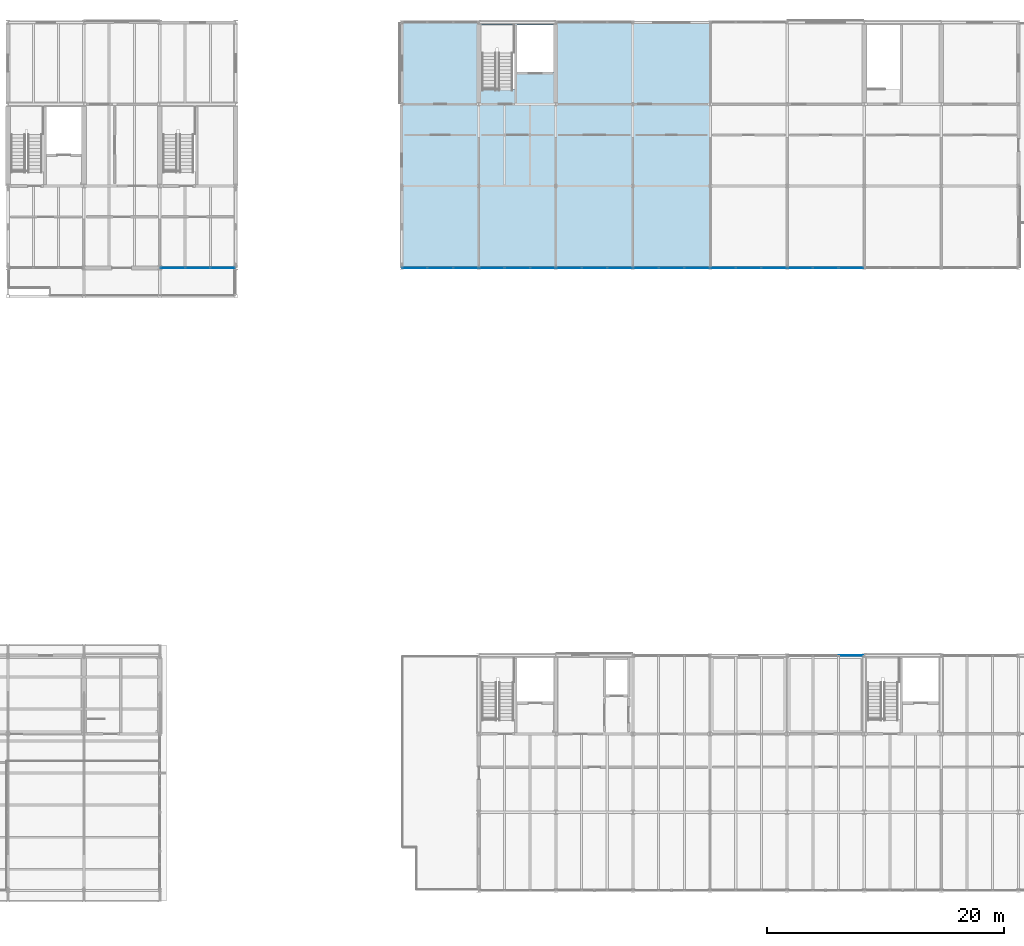
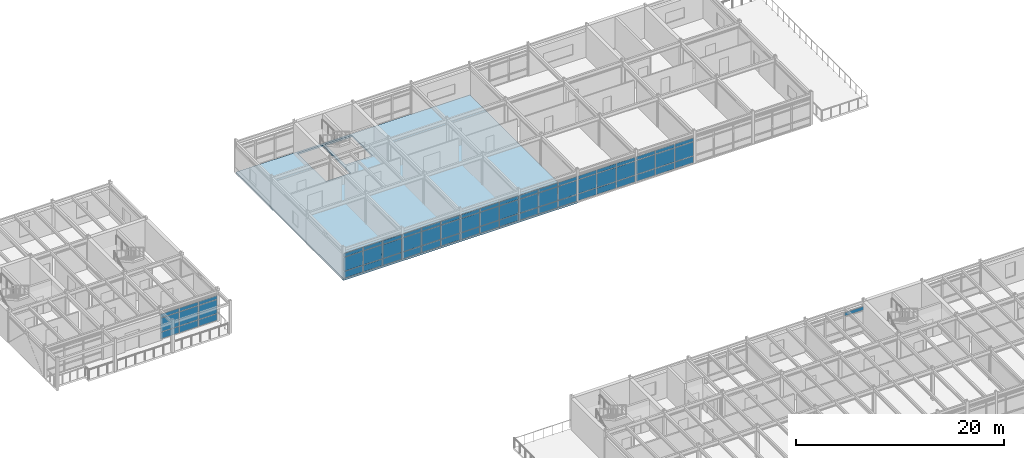
# One storey, part 36 of 57: 64 plates, 1 slab, 8 elements without a shape of their own.
"""IFC4 building model written with IfcOpenShell, lengths in metres."""

from ifc_helpers import new_model, si_unit, direction, frame, origin, origin_2d, place, context, subcontext, project, spatial, polyline, rectangle, outline, extrude, material, layer, layer_set, type_object, element, aggregate, save


model = new_model("IFC4")

# Units and contexts
model_context = context("Model", 3, precision=1e-05, world=origin(), true_north=direction((0.0, 1.0)))
body_context = subcontext(model_context, "Body", "Model", "MODEL_VIEW")
ifc_project = project(units=[si_unit("LENGTHUNIT", "METRE"), si_unit("AREAUNIT", "SQUARE_METRE"), si_unit("VOLUMEUNIT", "CUBIC_METRE"), si_unit("PLANEANGLEUNIT", "RADIAN"), si_unit("MASSUNIT", "GRAM", prefix="KILO")], contexts=[model_context])

# Site, building, storey
site_placement = place(None, origin())
site = spatial("IfcSite", under=ifc_project, at=site_placement, CompositionType="ELEMENT")
building_placement = place(site_placement, origin())
building = spatial("IfcBuilding", under=site, at=building_placement, Name="Trelmorton Wharf Fire Station", CompositionType="ELEMENT")
storey_placement = place(building_placement, frame((0.0, 0.0, 13.5)))
storey = spatial("IfcBuildingStorey", under=building, at=storey_placement, Name="L03", CompositionType="ELEMENT", Elevation=13.5)

# Curtain wall, plate
ifc_material_1 = material(Name="Anodised aluminium AW-6063", Category="aluminium")
ifc_layer_1 = layer(ifc_material_1, 0.14990234375)
ifc_layer_set_1 = layer_set([ifc_layer_1], Name="Anodised aluminium AW-6063")
curtain_wall_type_1 = type_object("IfcCurtainWallType", Name="CW_UNIT_A", PredefinedType="USERDEFINED", material=ifc_layer_set_1)
curtain_wall_1_placement = place(storey_placement, origin())
curtain_wall_1 = element("IfcCurtainWall", 1, at=curtain_wall_1_placement, inside=storey, type_object=curtain_wall_type_1, Name="CW-V5-L03-070", ObjectType="UNITISED CURTAIN WALL", PredefinedType="USERDEFINED")
ifc_material_2 = material(Name="Tempered low-E double glazing", Category="glass")
ifc_layer_2 = layer(ifc_material_2, 0.028076171875)
ifc_layer_set_2 = layer_set([ifc_layer_2], Name="Tempered low-E double glazing")
plate_type_1 = type_object("IfcPlateType", Name="CWP_GLAZ_28", PredefinedType="CURTAIN_PANEL", material=ifc_layer_set_2)
plate_1_placement = place(storey_placement, frame((141.8984375, 27.60009765625, 2.5498046875), z_axis=(0.0, 0.0, 1.0), x_axis=(1.0, 0.0, 0.0)))
plate_1 = element("IfcPlate", 2, at=plate_1_placement, type_object=plate_type_1, Name="CW3 panel 3.3", PredefinedType="CURTAIN_PANEL", context=body_context, shape_type="SweptSolid", body=[
    extrude(rectangle(XDim=2.0732421875, YDim=0.028076171875, at=origin_2d()), origin(), (0.0, 0.0, 1.0), 0.409912109375),
])
aggregate(curtain_wall_1, [plate_1])

# Curtain wall, plates
ifc_layer_3 = layer(ifc_material_1, 0.159912109375)
ifc_layer_set_3 = layer_set([ifc_layer_3], Name="Anodised aluminium AW-6063")
curtain_wall_type_2 = type_object("IfcCurtainWallType", Name="CW_CHIC_A", PredefinedType="USERDEFINED", material=ifc_layer_set_3)
curtain_wall_2_placement = place(storey_placement, origin())
curtain_wall_2 = element("IfcCurtainWall", 3, at=curtain_wall_2_placement, inside=storey, type_object=curtain_wall_type_2, Name="CW-V2-L03-104", ObjectType="CHICAGO BAY CURTAIN WALL", PredefinedType="USERDEFINED")
plate_2_placement = place(storey_placement, frame((88.9150390625, 60.300048828125, 0.06005859375), z_axis=(0.0, 0.0, 1.0), x_axis=(-1.0, 0.0, 0.0)))
plate_2 = element("IfcPlate", 4, at=plate_2_placement, type_object=plate_type_1, Name="CW1 panel 1.1", PredefinedType="CURTAIN_PANEL", context=body_context, shape_type="SweptSolid", body=[
    extrude(rectangle(XDim=2.0400390625, YDim=0.028076171875, at=origin_2d()), origin(), (0.0, 0.0, 1.0), 0.760009765625),
])
plate_3_placement = place(storey_placement, frame((88.9150390625, 60.300048828125, 0.8798828125), z_axis=(0.0, 0.0, 1.0), x_axis=(-1.0, 0.0, 0.0)))
plate_3 = element("IfcPlate", 5, at=plate_3_placement, type_object=plate_type_1, Name="CW1 panel 1.2", PredefinedType="CURTAIN_PANEL", context=body_context, shape_type="SweptSolid", body=[
    extrude(rectangle(XDim=2.0400390625, YDim=0.028076171875, at=origin_2d()), origin(), (0.0, 0.0, 1.0), 1.610107421875),
])
plate_4_placement = place(storey_placement, frame((88.9150390625, 60.300048828125, 2.5498046875), z_axis=(0.0, 0.0, 1.0), x_axis=(-1.0, 0.0, 0.0)))
plate_4 = element("IfcPlate", 6, at=plate_4_placement, type_object=plate_type_1, Name="CW1 panel 1.3", PredefinedType="CURTAIN_PANEL", context=body_context, shape_type="SweptSolid", body=[
    extrude(rectangle(XDim=2.0400390625, YDim=0.028076171875, at=origin_2d()), origin(), (0.0, 0.0, 1.0), 0.409912109375),
])
plate_5_placement = place(storey_placement, frame((86.800048828125, 60.300048828125, 0.06005859375), z_axis=(0.0, 0.0, 1.0), x_axis=(-1.0, 0.0, 0.0)))
plate_5 = element("IfcPlate", 7, at=plate_5_placement, type_object=plate_type_1, Name="CW1 panel 2.1", PredefinedType="CURTAIN_PANEL", context=body_context, shape_type="SweptSolid", body=[
    extrude(rectangle(XDim=2.070068359375, YDim=0.028076171875, at=origin_2d()), origin(), (0.0, 0.0, 1.0), 0.760009765625),
])
plate_6_placement = place(storey_placement, frame((86.800048828125, 60.300048828125, 0.8798828125), z_axis=(0.0, 0.0, 1.0), x_axis=(-1.0, 0.0, 0.0)))
plate_6 = element("IfcPlate", 8, at=plate_6_placement, type_object=plate_type_1, Name="CW1 panel 2.2", PredefinedType="CURTAIN_PANEL", context=body_context, shape_type="SweptSolid", body=[
    extrude(rectangle(XDim=2.070068359375, YDim=0.028076171875, at=origin_2d()), origin(), (0.0, 0.0, 1.0), 1.610107421875),
])
plate_7_placement = place(storey_placement, frame((86.800048828125, 60.300048828125, 2.5498046875), z_axis=(0.0, 0.0, 1.0), x_axis=(-1.0, 0.0, 0.0)))
plate_7 = element("IfcPlate", 9, at=plate_7_placement, type_object=plate_type_1, Name="CW1 panel 2.3", PredefinedType="CURTAIN_PANEL", context=body_context, shape_type="SweptSolid", body=[
    extrude(rectangle(XDim=2.070068359375, YDim=0.028076171875, at=origin_2d()), origin(), (0.0, 0.0, 1.0), 0.409912109375),
])
plate_8_placement = place(storey_placement, frame((84.68505859375, 60.300048828125, 0.06005859375), z_axis=(0.0, 0.0, 1.0), x_axis=(-1.0, 0.0, 0.0)))
plate_8 = element("IfcPlate", 10, at=plate_8_placement, type_object=plate_type_1, Name="CW1 panel 3.1", PredefinedType="CURTAIN_PANEL", context=body_context, shape_type="SweptSolid", body=[
    extrude(rectangle(XDim=2.0400390625, YDim=0.028076171875, at=origin_2d()), origin(), (0.0, 0.0, 1.0), 0.760009765625),
])
plate_9_placement = place(storey_placement, frame((84.68505859375, 60.300048828125, 0.8798828125), z_axis=(0.0, 0.0, 1.0), x_axis=(-1.0, 0.0, 0.0)))
plate_9 = element("IfcPlate", 11, at=plate_9_placement, type_object=plate_type_1, Name="CW1 panel 3.2", PredefinedType="CURTAIN_PANEL", context=body_context, shape_type="SweptSolid", body=[
    extrude(rectangle(XDim=2.0400390625, YDim=0.028076171875, at=origin_2d()), origin(), (0.0, 0.0, 1.0), 1.610107421875),
])
plate_10_placement = place(storey_placement, frame((84.68505859375, 60.300048828125, 2.5498046875), z_axis=(0.0, 0.0, 1.0), x_axis=(-1.0, 0.0, 0.0)))
plate_10 = element("IfcPlate", 12, at=plate_10_placement, type_object=plate_type_1, Name="CW1 panel 3.3", PredefinedType="CURTAIN_PANEL", context=body_context, shape_type="SweptSolid", body=[
    extrude(rectangle(XDim=2.0400390625, YDim=0.028076171875, at=origin_2d()), origin(), (0.0, 0.0, 1.0), 0.409912109375),
])
aggregate(curtain_wall_2, [plate_2, plate_3, plate_4, plate_5, plate_6, plate_7, plate_8, plate_9, plate_10])

ifc_layer_4 = layer(ifc_material_1, 0.175048828125)
ifc_layer_set_4 = layer_set([ifc_layer_4], Name="Anodised aluminium AW-6063")
curtain_wall_type_3 = type_object("IfcCurtainWallType", Name="CW_CHIC_B", PredefinedType="USERDEFINED", material=ifc_layer_set_4)
curtain_wall_3_placement = place(storey_placement, origin())
curtain_wall_3 = element("IfcCurtainWall", 13, at=curtain_wall_3_placement, inside=storey, type_object=curtain_wall_type_3, Name="CW-V4-L03-143", ObjectType="CHICAGO BAY CURTAIN WALL", PredefinedType="USERDEFINED")
plate_11_placement = place(storey_placement, frame((109.3984375, 60.300048828125, 0.06005859375), z_axis=(0.0, 0.0, 1.0), x_axis=(-1.0, 0.0, 0.0)))
plate_11 = element("IfcPlate", 14, at=plate_11_placement, type_object=plate_type_1, Name="CW2 panel 1.1", PredefinedType="CURTAIN_PANEL", context=body_context, shape_type="SweptSolid", body=[
    extrude(rectangle(XDim=2.0732421875, YDim=0.028076171875, at=origin_2d()), origin(), (0.0, 0.0, 1.0), 0.760009765625),
])
plate_12_placement = place(storey_placement, frame((109.3984375, 60.300048828125, 0.8798828125), z_axis=(0.0, 0.0, 1.0), x_axis=(-1.0, 0.0, 0.0)))
plate_12 = element("IfcPlate", 15, at=plate_12_placement, type_object=plate_type_1, Name="CW2 panel 1.2", PredefinedType="CURTAIN_PANEL", context=body_context, shape_type="SweptSolid", body=[
    extrude(rectangle(XDim=2.0732421875, YDim=0.028076171875, at=origin_2d()), origin(), (0.0, 0.0, 1.0), 1.610107421875),
])
plate_13_placement = place(storey_placement, frame((109.3984375, 60.300048828125, 2.5498046875), z_axis=(0.0, 0.0, 1.0), x_axis=(-1.0, 0.0, 0.0)))
plate_13 = element("IfcPlate", 16, at=plate_13_placement, type_object=plate_type_1, Name="CW2 panel 1.3", PredefinedType="CURTAIN_PANEL", context=body_context, shape_type="SweptSolid", body=[
    extrude(rectangle(XDim=2.0732421875, YDim=0.028076171875, at=origin_2d()), origin(), (0.0, 0.0, 1.0), 0.409912109375),
])
plate_14_placement = place(storey_placement, frame((107.25, 60.300048828125, 0.06005859375), z_axis=(0.0, 0.0, 1.0), x_axis=(-1.0, 0.0, 0.0)))
plate_14 = element("IfcPlate", 17, at=plate_14_placement, type_object=plate_type_1, Name="CW2 panel 2.1", PredefinedType="CURTAIN_PANEL", context=body_context, shape_type="SweptSolid", body=[
    extrude(rectangle(XDim=2.103271484375, YDim=0.028076171875, at=origin_2d()), origin(), (0.0, 0.0, 1.0), 0.760009765625),
])
plate_15_placement = place(storey_placement, frame((107.25, 60.300048828125, 0.8798828125), z_axis=(0.0, 0.0, 1.0), x_axis=(-1.0, 0.0, 0.0)))
plate_15 = element("IfcPlate", 18, at=plate_15_placement, type_object=plate_type_1, Name="CW2 panel 2.2", PredefinedType="CURTAIN_PANEL", context=body_context, shape_type="SweptSolid", body=[
    extrude(rectangle(XDim=2.103271484375, YDim=0.028076171875, at=origin_2d()), origin(), (0.0, 0.0, 1.0), 1.610107421875),
])
plate_16_placement = place(storey_placement, frame((107.25, 60.300048828125, 2.5498046875), z_axis=(0.0, 0.0, 1.0), x_axis=(-1.0, 0.0, 0.0)))
plate_16 = element("IfcPlate", 19, at=plate_16_placement, type_object=plate_type_1, Name="CW2 panel 2.3", PredefinedType="CURTAIN_PANEL", context=body_context, shape_type="SweptSolid", body=[
    extrude(rectangle(XDim=2.103271484375, YDim=0.028076171875, at=origin_2d()), origin(), (0.0, 0.0, 1.0), 0.409912109375),
])
plate_17_placement = place(storey_placement, frame((105.1015625, 60.300048828125, 0.06005859375), z_axis=(0.0, 0.0, 1.0), x_axis=(-1.0, 0.0, 0.0)))
plate_17 = element("IfcPlate", 20, at=plate_17_placement, type_object=plate_type_1, Name="CW2 panel 3.1", PredefinedType="CURTAIN_PANEL", context=body_context, shape_type="SweptSolid", body=[
    extrude(rectangle(XDim=2.0732421875, YDim=0.028076171875, at=origin_2d()), origin(), (0.0, 0.0, 1.0), 0.760009765625),
])
plate_18_placement = place(storey_placement, frame((105.1015625, 60.300048828125, 0.8798828125), z_axis=(0.0, 0.0, 1.0), x_axis=(-1.0, 0.0, 0.0)))
plate_18 = element("IfcPlate", 21, at=plate_18_placement, type_object=plate_type_1, Name="CW2 panel 3.2", PredefinedType="CURTAIN_PANEL", context=body_context, shape_type="SweptSolid", body=[
    extrude(rectangle(XDim=2.0732421875, YDim=0.028076171875, at=origin_2d()), origin(), (0.0, 0.0, 1.0), 1.610107421875),
])
plate_19_placement = place(storey_placement, frame((105.1015625, 60.300048828125, 2.5498046875), z_axis=(0.0, 0.0, 1.0), x_axis=(-1.0, 0.0, 0.0)))
plate_19 = element("IfcPlate", 22, at=plate_19_placement, type_object=plate_type_1, Name="CW2 panel 3.3", PredefinedType="CURTAIN_PANEL", context=body_context, shape_type="SweptSolid", body=[
    extrude(rectangle(XDim=2.0732421875, YDim=0.028076171875, at=origin_2d()), origin(), (0.0, 0.0, 1.0), 0.409912109375),
])
aggregate(curtain_wall_3, [plate_11, plate_12, plate_13, plate_14, plate_15, plate_16, plate_17, plate_18, plate_19])

curtain_wall_4_placement = place(storey_placement, origin())
curtain_wall_4 = element("IfcCurtainWall", 23, at=curtain_wall_4_placement, inside=storey, type_object=curtain_wall_type_3, Name="CW-V4-L03-145", ObjectType="CHICAGO BAY CURTAIN WALL", PredefinedType="USERDEFINED")
plate_20_placement = place(storey_placement, frame((122.3984375, 60.300048828125, 0.06005859375), z_axis=(0.0, 0.0, 1.0), x_axis=(-1.0, 0.0, 0.0)))
plate_20 = element("IfcPlate", 24, at=plate_20_placement, type_object=plate_type_1, Name="CW2 panel 1.1", PredefinedType="CURTAIN_PANEL", context=body_context, shape_type="SweptSolid", body=[
    extrude(rectangle(XDim=2.0732421875, YDim=0.028076171875, at=origin_2d()), origin(), (0.0, 0.0, 1.0), 0.760009765625),
])
plate_21_placement = place(storey_placement, frame((122.3984375, 60.300048828125, 0.8798828125), z_axis=(0.0, 0.0, 1.0), x_axis=(-1.0, 0.0, 0.0)))
plate_21 = element("IfcPlate", 25, at=plate_21_placement, type_object=plate_type_1, Name="CW2 panel 1.2", PredefinedType="CURTAIN_PANEL", context=body_context, shape_type="SweptSolid", body=[
    extrude(rectangle(XDim=2.0732421875, YDim=0.028076171875, at=origin_2d()), origin(), (0.0, 0.0, 1.0), 1.610107421875),
])
plate_22_placement = place(storey_placement, frame((122.3984375, 60.300048828125, 2.5498046875), z_axis=(0.0, 0.0, 1.0), x_axis=(-1.0, 0.0, 0.0)))
plate_22 = element("IfcPlate", 26, at=plate_22_placement, type_object=plate_type_1, Name="CW2 panel 1.3", PredefinedType="CURTAIN_PANEL", context=body_context, shape_type="SweptSolid", body=[
    extrude(rectangle(XDim=2.0732421875, YDim=0.028076171875, at=origin_2d()), origin(), (0.0, 0.0, 1.0), 0.409912109375),
])
plate_23_placement = place(storey_placement, frame((120.25, 60.300048828125, 0.06005859375), z_axis=(0.0, 0.0, 1.0), x_axis=(-1.0, 0.0, 0.0)))
plate_23 = element("IfcPlate", 27, at=plate_23_placement, type_object=plate_type_1, Name="CW2 panel 2.1", PredefinedType="CURTAIN_PANEL", context=body_context, shape_type="SweptSolid", body=[
    extrude(rectangle(XDim=2.103271484375, YDim=0.028076171875, at=origin_2d()), origin(), (0.0, 0.0, 1.0), 0.760009765625),
])
plate_24_placement = place(storey_placement, frame((120.25, 60.300048828125, 0.8798828125), z_axis=(0.0, 0.0, 1.0), x_axis=(-1.0, 0.0, 0.0)))
plate_24 = element("IfcPlate", 28, at=plate_24_placement, type_object=plate_type_1, Name="CW2 panel 2.2", PredefinedType="CURTAIN_PANEL", context=body_context, shape_type="SweptSolid", body=[
    extrude(rectangle(XDim=2.103271484375, YDim=0.028076171875, at=origin_2d()), origin(), (0.0, 0.0, 1.0), 1.610107421875),
])
plate_25_placement = place(storey_placement, frame((120.25, 60.300048828125, 2.5498046875), z_axis=(0.0, 0.0, 1.0), x_axis=(-1.0, 0.0, 0.0)))
plate_25 = element("IfcPlate", 29, at=plate_25_placement, type_object=plate_type_1, Name="CW2 panel 2.3", PredefinedType="CURTAIN_PANEL", context=body_context, shape_type="SweptSolid", body=[
    extrude(rectangle(XDim=2.103271484375, YDim=0.028076171875, at=origin_2d()), origin(), (0.0, 0.0, 1.0), 0.409912109375),
])
plate_26_placement = place(storey_placement, frame((118.1015625, 60.300048828125, 0.06005859375), z_axis=(0.0, 0.0, 1.0), x_axis=(-1.0, 0.0, 0.0)))
plate_26 = element("IfcPlate", 30, at=plate_26_placement, type_object=plate_type_1, Name="CW2 panel 3.1", PredefinedType="CURTAIN_PANEL", context=body_context, shape_type="SweptSolid", body=[
    extrude(rectangle(XDim=2.0732421875, YDim=0.028076171875, at=origin_2d()), origin(), (0.0, 0.0, 1.0), 0.760009765625),
])
plate_27_placement = place(storey_placement, frame((118.1015625, 60.300048828125, 0.8798828125), z_axis=(0.0, 0.0, 1.0), x_axis=(-1.0, 0.0, 0.0)))
plate_27 = element("IfcPlate", 31, at=plate_27_placement, type_object=plate_type_1, Name="CW2 panel 3.2", PredefinedType="CURTAIN_PANEL", context=body_context, shape_type="SweptSolid", body=[
    extrude(rectangle(XDim=2.0732421875, YDim=0.028076171875, at=origin_2d()), origin(), (0.0, 0.0, 1.0), 1.610107421875),
])
plate_28_placement = place(storey_placement, frame((118.1015625, 60.300048828125, 2.5498046875), z_axis=(0.0, 0.0, 1.0), x_axis=(-1.0, 0.0, 0.0)))
plate_28 = element("IfcPlate", 32, at=plate_28_placement, type_object=plate_type_1, Name="CW2 panel 3.3", PredefinedType="CURTAIN_PANEL", context=body_context, shape_type="SweptSolid", body=[
    extrude(rectangle(XDim=2.0732421875, YDim=0.028076171875, at=origin_2d()), origin(), (0.0, 0.0, 1.0), 0.409912109375),
])
aggregate(curtain_wall_4, [plate_20, plate_21, plate_22, plate_23, plate_24, plate_25, plate_26, plate_27, plate_28])

curtain_wall_5_placement = place(storey_placement, origin())
curtain_wall_5 = element("IfcCurtainWall", 33, at=curtain_wall_5_placement, inside=storey, type_object=curtain_wall_type_3, Name="CW-V4-L03-146", ObjectType="CHICAGO BAY CURTAIN WALL", PredefinedType="USERDEFINED")
plate_29_placement = place(storey_placement, frame((128.8984375, 60.300048828125, 0.06005859375), z_axis=(0.0, 0.0, 1.0), x_axis=(-1.0, 0.0, 0.0)))
plate_29 = element("IfcPlate", 34, at=plate_29_placement, type_object=plate_type_1, Name="CW2 panel 1.1", PredefinedType="CURTAIN_PANEL", context=body_context, shape_type="SweptSolid", body=[
    extrude(rectangle(XDim=2.0732421875, YDim=0.028076171875, at=origin_2d()), origin(), (0.0, 0.0, 1.0), 0.760009765625),
])
plate_30_placement = place(storey_placement, frame((128.8984375, 60.300048828125, 0.8798828125), z_axis=(0.0, 0.0, 1.0), x_axis=(-1.0, 0.0, 0.0)))
plate_30 = element("IfcPlate", 35, at=plate_30_placement, type_object=plate_type_1, Name="CW2 panel 1.2", PredefinedType="CURTAIN_PANEL", context=body_context, shape_type="SweptSolid", body=[
    extrude(rectangle(XDim=2.0732421875, YDim=0.028076171875, at=origin_2d()), origin(), (0.0, 0.0, 1.0), 1.610107421875),
])
plate_31_placement = place(storey_placement, frame((128.8984375, 60.300048828125, 2.5498046875), z_axis=(0.0, 0.0, 1.0), x_axis=(-1.0, 0.0, 0.0)))
plate_31 = element("IfcPlate", 36, at=plate_31_placement, type_object=plate_type_1, Name="CW2 panel 1.3", PredefinedType="CURTAIN_PANEL", context=body_context, shape_type="SweptSolid", body=[
    extrude(rectangle(XDim=2.0732421875, YDim=0.028076171875, at=origin_2d()), origin(), (0.0, 0.0, 1.0), 0.409912109375),
])
plate_32_placement = place(storey_placement, frame((126.75, 60.300048828125, 0.06005859375), z_axis=(0.0, 0.0, 1.0), x_axis=(-1.0, 0.0, 0.0)))
plate_32 = element("IfcPlate", 37, at=plate_32_placement, type_object=plate_type_1, Name="CW2 panel 2.1", PredefinedType="CURTAIN_PANEL", context=body_context, shape_type="SweptSolid", body=[
    extrude(rectangle(XDim=2.103271484375, YDim=0.028076171875, at=origin_2d()), origin(), (0.0, 0.0, 1.0), 0.760009765625),
])
plate_33_placement = place(storey_placement, frame((126.75, 60.300048828125, 0.8798828125), z_axis=(0.0, 0.0, 1.0), x_axis=(-1.0, 0.0, 0.0)))
plate_33 = element("IfcPlate", 38, at=plate_33_placement, type_object=plate_type_1, Name="CW2 panel 2.2", PredefinedType="CURTAIN_PANEL", context=body_context, shape_type="SweptSolid", body=[
    extrude(rectangle(XDim=2.103271484375, YDim=0.028076171875, at=origin_2d()), origin(), (0.0, 0.0, 1.0), 1.610107421875),
])
plate_34_placement = place(storey_placement, frame((126.75, 60.300048828125, 2.5498046875), z_axis=(0.0, 0.0, 1.0), x_axis=(-1.0, 0.0, 0.0)))
plate_34 = element("IfcPlate", 39, at=plate_34_placement, type_object=plate_type_1, Name="CW2 panel 2.3", PredefinedType="CURTAIN_PANEL", context=body_context, shape_type="SweptSolid", body=[
    extrude(rectangle(XDim=2.103271484375, YDim=0.028076171875, at=origin_2d()), origin(), (0.0, 0.0, 1.0), 0.409912109375),
])
plate_35_placement = place(storey_placement, frame((124.6015625, 60.300048828125, 0.06005859375), z_axis=(0.0, 0.0, 1.0), x_axis=(-1.0, 0.0, 0.0)))
plate_35 = element("IfcPlate", 40, at=plate_35_placement, type_object=plate_type_1, Name="CW2 panel 3.1", PredefinedType="CURTAIN_PANEL", context=body_context, shape_type="SweptSolid", body=[
    extrude(rectangle(XDim=2.0732421875, YDim=0.028076171875, at=origin_2d()), origin(), (0.0, 0.0, 1.0), 0.760009765625),
])
plate_36_placement = place(storey_placement, frame((124.6015625, 60.300048828125, 0.8798828125), z_axis=(0.0, 0.0, 1.0), x_axis=(-1.0, 0.0, 0.0)))
plate_36 = element("IfcPlate", 41, at=plate_36_placement, type_object=plate_type_1, Name="CW2 panel 3.2", PredefinedType="CURTAIN_PANEL", context=body_context, shape_type="SweptSolid", body=[
    extrude(rectangle(XDim=2.0732421875, YDim=0.028076171875, at=origin_2d()), origin(), (0.0, 0.0, 1.0), 1.610107421875),
])
plate_37_placement = place(storey_placement, frame((124.6015625, 60.300048828125, 2.5498046875), z_axis=(0.0, 0.0, 1.0), x_axis=(-1.0, 0.0, 0.0)))
plate_37 = element("IfcPlate", 42, at=plate_37_placement, type_object=plate_type_1, Name="CW2 panel 3.3", PredefinedType="CURTAIN_PANEL", context=body_context, shape_type="SweptSolid", body=[
    extrude(rectangle(XDim=2.0732421875, YDim=0.028076171875, at=origin_2d()), origin(), (0.0, 0.0, 1.0), 0.409912109375),
])
aggregate(curtain_wall_5, [plate_29, plate_30, plate_31, plate_32, plate_33, plate_34, plate_35, plate_36, plate_37])

curtain_wall_6_placement = place(storey_placement, origin())
curtain_wall_6 = element("IfcCurtainWall", 43, at=curtain_wall_6_placement, inside=storey, type_object=curtain_wall_type_3, Name="CW-V4-L03-148", ObjectType="CHICAGO BAY CURTAIN WALL", PredefinedType="USERDEFINED")
plate_38_placement = place(storey_placement, frame((141.8984375, 60.300048828125, 0.06005859375), z_axis=(0.0, 0.0, 1.0), x_axis=(-1.0, 0.0, 0.0)))
plate_38 = element("IfcPlate", 44, at=plate_38_placement, type_object=plate_type_1, Name="CW2 panel 1.1", PredefinedType="CURTAIN_PANEL", context=body_context, shape_type="SweptSolid", body=[
    extrude(rectangle(XDim=2.0732421875, YDim=0.028076171875, at=origin_2d()), origin(), (0.0, 0.0, 1.0), 0.760009765625),
])
plate_39_placement = place(storey_placement, frame((141.8984375, 60.300048828125, 0.8798828125), z_axis=(0.0, 0.0, 1.0), x_axis=(-1.0, 0.0, 0.0)))
plate_39 = element("IfcPlate", 45, at=plate_39_placement, type_object=plate_type_1, Name="CW2 panel 1.2", PredefinedType="CURTAIN_PANEL", context=body_context, shape_type="SweptSolid", body=[
    extrude(rectangle(XDim=2.0732421875, YDim=0.028076171875, at=origin_2d()), origin(), (0.0, 0.0, 1.0), 1.610107421875),
])
plate_40_placement = place(storey_placement, frame((141.8984375, 60.300048828125, 2.5498046875), z_axis=(0.0, 0.0, 1.0), x_axis=(-1.0, 0.0, 0.0)))
plate_40 = element("IfcPlate", 46, at=plate_40_placement, type_object=plate_type_1, Name="CW2 panel 1.3", PredefinedType="CURTAIN_PANEL", context=body_context, shape_type="SweptSolid", body=[
    extrude(rectangle(XDim=2.0732421875, YDim=0.028076171875, at=origin_2d()), origin(), (0.0, 0.0, 1.0), 0.409912109375),
])
plate_41_placement = place(storey_placement, frame((139.75, 60.300048828125, 0.06005859375), z_axis=(0.0, 0.0, 1.0), x_axis=(-1.0, 0.0, 0.0)))
plate_41 = element("IfcPlate", 47, at=plate_41_placement, type_object=plate_type_1, Name="CW2 panel 2.1", PredefinedType="CURTAIN_PANEL", context=body_context, shape_type="SweptSolid", body=[
    extrude(rectangle(XDim=2.103271484375, YDim=0.028076171875, at=origin_2d()), origin(), (0.0, 0.0, 1.0), 0.760009765625),
])
plate_42_placement = place(storey_placement, frame((139.75, 60.300048828125, 0.8798828125), z_axis=(0.0, 0.0, 1.0), x_axis=(-1.0, 0.0, 0.0)))
plate_42 = element("IfcPlate", 48, at=plate_42_placement, type_object=plate_type_1, Name="CW2 panel 2.2", PredefinedType="CURTAIN_PANEL", context=body_context, shape_type="SweptSolid", body=[
    extrude(rectangle(XDim=2.103271484375, YDim=0.028076171875, at=origin_2d()), origin(), (0.0, 0.0, 1.0), 1.610107421875),
])
plate_43_placement = place(storey_placement, frame((139.75, 60.300048828125, 2.5498046875), z_axis=(0.0, 0.0, 1.0), x_axis=(-1.0, 0.0, 0.0)))
plate_43 = element("IfcPlate", 49, at=plate_43_placement, type_object=plate_type_1, Name="CW2 panel 2.3", PredefinedType="CURTAIN_PANEL", context=body_context, shape_type="SweptSolid", body=[
    extrude(rectangle(XDim=2.103271484375, YDim=0.028076171875, at=origin_2d()), origin(), (0.0, 0.0, 1.0), 0.409912109375),
])
plate_44_placement = place(storey_placement, frame((137.6015625, 60.300048828125, 0.06005859375), z_axis=(0.0, 0.0, 1.0), x_axis=(-1.0, 0.0, 0.0)))
plate_44 = element("IfcPlate", 50, at=plate_44_placement, type_object=plate_type_1, Name="CW2 panel 3.1", PredefinedType="CURTAIN_PANEL", context=body_context, shape_type="SweptSolid", body=[
    extrude(rectangle(XDim=2.0732421875, YDim=0.028076171875, at=origin_2d()), origin(), (0.0, 0.0, 1.0), 0.760009765625),
])
plate_45_placement = place(storey_placement, frame((137.6015625, 60.300048828125, 0.8798828125), z_axis=(0.0, 0.0, 1.0), x_axis=(-1.0, 0.0, 0.0)))
plate_45 = element("IfcPlate", 51, at=plate_45_placement, type_object=plate_type_1, Name="CW2 panel 3.2", PredefinedType="CURTAIN_PANEL", context=body_context, shape_type="SweptSolid", body=[
    extrude(rectangle(XDim=2.0732421875, YDim=0.028076171875, at=origin_2d()), origin(), (0.0, 0.0, 1.0), 1.610107421875),
])
plate_46_placement = place(storey_placement, frame((137.6015625, 60.300048828125, 2.5498046875), z_axis=(0.0, 0.0, 1.0), x_axis=(-1.0, 0.0, 0.0)))
plate_46 = element("IfcPlate", 52, at=plate_46_placement, type_object=plate_type_1, Name="CW2 panel 3.3", PredefinedType="CURTAIN_PANEL", context=body_context, shape_type="SweptSolid", body=[
    extrude(rectangle(XDim=2.0732421875, YDim=0.028076171875, at=origin_2d()), origin(), (0.0, 0.0, 1.0), 0.409912109375),
])
aggregate(curtain_wall_6, [plate_38, plate_39, plate_40, plate_41, plate_42, plate_43, plate_44, plate_45, plate_46])

curtain_wall_7_placement = place(storey_placement, origin())
curtain_wall_7 = element("IfcCurtainWall", 53, at=curtain_wall_7_placement, inside=storey, type_object=curtain_wall_type_3, Name="CW-V4-L03-147", ObjectType="CHICAGO BAY CURTAIN WALL", PredefinedType="USERDEFINED")
ifc_layer_5 = layer(ifc_material_2, 0.028076171875)
ifc_layer_set_5 = layer_set([ifc_layer_5], Name="Tempered low-E double glazing")
plate_type_2 = type_object("IfcPlateType", Name="CWP_GLAZ_38", PredefinedType="CURTAIN_PANEL", material=ifc_layer_set_5)
plate_47_placement = place(storey_placement, frame((135.3984375, 60.300048828125, 0.06005859375), z_axis=(0.0, 0.0, 1.0), x_axis=(-1.0, 0.0, 0.0)))
plate_47 = element("IfcPlate", 54, at=plate_47_placement, type_object=plate_type_2, Name="CW2 panel 1.1", PredefinedType="CURTAIN_PANEL", context=body_context, shape_type="SweptSolid", body=[
    extrude(rectangle(XDim=2.0732421875, YDim=0.028076171875, at=origin_2d()), origin(), (0.0, 0.0, 1.0), 0.760009765625),
])
plate_48_placement = place(storey_placement, frame((135.3984375, 60.300048828125, 0.8798828125), z_axis=(0.0, 0.0, 1.0), x_axis=(-1.0, 0.0, 0.0)))
plate_48 = element("IfcPlate", 55, at=plate_48_placement, type_object=plate_type_2, Name="CW2 panel 1.2", PredefinedType="CURTAIN_PANEL", context=body_context, shape_type="SweptSolid", body=[
    extrude(rectangle(XDim=2.0732421875, YDim=0.028076171875, at=origin_2d()), origin(), (0.0, 0.0, 1.0), 1.610107421875),
])
plate_49_placement = place(storey_placement, frame((135.3984375, 60.300048828125, 2.5498046875), z_axis=(0.0, 0.0, 1.0), x_axis=(-1.0, 0.0, 0.0)))
plate_49 = element("IfcPlate", 56, at=plate_49_placement, type_object=plate_type_2, Name="CW2 panel 1.3", PredefinedType="CURTAIN_PANEL", context=body_context, shape_type="SweptSolid", body=[
    extrude(rectangle(XDim=2.0732421875, YDim=0.028076171875, at=origin_2d()), origin(), (0.0, 0.0, 1.0), 0.409912109375),
])
plate_50_placement = place(storey_placement, frame((133.25, 60.300048828125, 0.06005859375), z_axis=(0.0, 0.0, 1.0), x_axis=(-1.0, 0.0, 0.0)))
plate_50 = element("IfcPlate", 57, at=plate_50_placement, type_object=plate_type_2, Name="CW2 panel 2.1", PredefinedType="CURTAIN_PANEL", context=body_context, shape_type="SweptSolid", body=[
    extrude(rectangle(XDim=2.103271484375, YDim=0.028076171875, at=origin_2d()), origin(), (0.0, 0.0, 1.0), 0.760009765625),
])
plate_51_placement = place(storey_placement, frame((133.25, 60.300048828125, 0.8798828125), z_axis=(0.0, 0.0, 1.0), x_axis=(-1.0, 0.0, 0.0)))
plate_51 = element("IfcPlate", 58, at=plate_51_placement, type_object=plate_type_2, Name="CW2 panel 2.2", PredefinedType="CURTAIN_PANEL", context=body_context, shape_type="SweptSolid", body=[
    extrude(rectangle(XDim=2.103271484375, YDim=0.028076171875, at=origin_2d()), origin(), (0.0, 0.0, 1.0), 1.610107421875),
])
plate_52_placement = place(storey_placement, frame((133.25, 60.300048828125, 2.5498046875), z_axis=(0.0, 0.0, 1.0), x_axis=(-1.0, 0.0, 0.0)))
plate_52 = element("IfcPlate", 59, at=plate_52_placement, type_object=plate_type_2, Name="CW2 panel 2.3", PredefinedType="CURTAIN_PANEL", context=body_context, shape_type="SweptSolid", body=[
    extrude(rectangle(XDim=2.103271484375, YDim=0.028076171875, at=origin_2d()), origin(), (0.0, 0.0, 1.0), 0.409912109375),
])
plate_53_placement = place(storey_placement, frame((131.1015625, 60.300048828125, 0.06005859375), z_axis=(0.0, 0.0, 1.0), x_axis=(-1.0, 0.0, 0.0)))
plate_53 = element("IfcPlate", 60, at=plate_53_placement, type_object=plate_type_2, Name="CW2 panel 3.1", PredefinedType="CURTAIN_PANEL", context=body_context, shape_type="SweptSolid", body=[
    extrude(rectangle(XDim=2.0732421875, YDim=0.028076171875, at=origin_2d()), origin(), (0.0, 0.0, 1.0), 0.760009765625),
])
plate_54_placement = place(storey_placement, frame((131.1015625, 60.300048828125, 0.8798828125), z_axis=(0.0, 0.0, 1.0), x_axis=(-1.0, 0.0, 0.0)))
plate_54 = element("IfcPlate", 61, at=plate_54_placement, type_object=plate_type_2, Name="CW2 panel 3.2", PredefinedType="CURTAIN_PANEL", context=body_context, shape_type="SweptSolid", body=[
    extrude(rectangle(XDim=2.0732421875, YDim=0.028076171875, at=origin_2d()), origin(), (0.0, 0.0, 1.0), 1.610107421875),
])
plate_55_placement = place(storey_placement, frame((131.1015625, 60.300048828125, 2.5498046875), z_axis=(0.0, 0.0, 1.0), x_axis=(-1.0, 0.0, 0.0)))
plate_55 = element("IfcPlate", 62, at=plate_55_placement, type_object=plate_type_2, Name="CW2 panel 3.3", PredefinedType="CURTAIN_PANEL", context=body_context, shape_type="SweptSolid", body=[
    extrude(rectangle(XDim=2.0732421875, YDim=0.028076171875, at=origin_2d()), origin(), (0.0, 0.0, 1.0), 0.409912109375),
])
aggregate(curtain_wall_7, [plate_47, plate_48, plate_49, plate_50, plate_51, plate_52, plate_53, plate_54, plate_55])

curtain_wall_8_placement = place(storey_placement, origin())
curtain_wall_8 = element("IfcCurtainWall", 63, at=curtain_wall_8_placement, inside=storey, type_object=curtain_wall_type_3, Name="CW-V4-L03-144", ObjectType="CHICAGO BAY CURTAIN WALL", PredefinedType="USERDEFINED")
ifc_material_3 = material(Name="Ceramic-fritted spandrel glazing", Category="glass")
ifc_layer_6 = layer(ifc_material_3, 0.028076171875)
ifc_layer_set_6 = layer_set([ifc_layer_6], Name="Ceramic-fritted spandrel glazing")
plate_type_3 = type_object("IfcPlateType", Name="CWP_SPAN_48", PredefinedType="CURTAIN_PANEL", material=ifc_layer_set_6)
plate_56_placement = place(storey_placement, frame((115.8984375, 60.300048828125, 0.06005859375), z_axis=(0.0, 0.0, 1.0), x_axis=(-1.0, 0.0, 0.0)))
plate_56 = element("IfcPlate", 64, at=plate_56_placement, type_object=plate_type_3, Name="CW2 panel 1.1", PredefinedType="CURTAIN_PANEL", context=body_context, shape_type="SweptSolid", body=[
    extrude(rectangle(XDim=2.0732421875, YDim=0.028076171875, at=origin_2d()), origin(), (0.0, 0.0, 1.0), 0.760009765625),
])
plate_57_placement = place(storey_placement, frame((115.8984375, 60.300048828125, 0.8798828125), z_axis=(0.0, 0.0, 1.0), x_axis=(-1.0, 0.0, 0.0)))
plate_57 = element("IfcPlate", 65, at=plate_57_placement, type_object=plate_type_3, Name="CW2 panel 1.2", PredefinedType="CURTAIN_PANEL", context=body_context, shape_type="SweptSolid", body=[
    extrude(rectangle(XDim=2.0732421875, YDim=0.028076171875, at=origin_2d()), origin(), (0.0, 0.0, 1.0), 1.610107421875),
])
plate_58_placement = place(storey_placement, frame((115.8984375, 60.300048828125, 2.5498046875), z_axis=(0.0, 0.0, 1.0), x_axis=(-1.0, 0.0, 0.0)))
plate_58 = element("IfcPlate", 66, at=plate_58_placement, type_object=plate_type_3, Name="CW2 panel 1.3", PredefinedType="CURTAIN_PANEL", context=body_context, shape_type="SweptSolid", body=[
    extrude(rectangle(XDim=2.0732421875, YDim=0.028076171875, at=origin_2d()), origin(), (0.0, 0.0, 1.0), 0.409912109375),
])
plate_59_placement = place(storey_placement, frame((113.75, 60.300048828125, 0.06005859375), z_axis=(0.0, 0.0, 1.0), x_axis=(-1.0, 0.0, 0.0)))
plate_59 = element("IfcPlate", 67, at=plate_59_placement, type_object=plate_type_3, Name="CW2 panel 2.1", PredefinedType="CURTAIN_PANEL", context=body_context, shape_type="SweptSolid", body=[
    extrude(rectangle(XDim=2.103271484375, YDim=0.028076171875, at=origin_2d()), origin(), (0.0, 0.0, 1.0), 0.760009765625),
])
plate_60_placement = place(storey_placement, frame((113.75, 60.300048828125, 0.8798828125), z_axis=(0.0, 0.0, 1.0), x_axis=(-1.0, 0.0, 0.0)))
plate_60 = element("IfcPlate", 68, at=plate_60_placement, type_object=plate_type_3, Name="CW2 panel 2.2", PredefinedType="CURTAIN_PANEL", context=body_context, shape_type="SweptSolid", body=[
    extrude(rectangle(XDim=2.103271484375, YDim=0.028076171875, at=origin_2d()), origin(), (0.0, 0.0, 1.0), 1.610107421875),
])
plate_61_placement = place(storey_placement, frame((113.75, 60.300048828125, 2.5498046875), z_axis=(0.0, 0.0, 1.0), x_axis=(-1.0, 0.0, 0.0)))
plate_61 = element("IfcPlate", 69, at=plate_61_placement, type_object=plate_type_3, Name="CW2 panel 2.3", PredefinedType="CURTAIN_PANEL", context=body_context, shape_type="SweptSolid", body=[
    extrude(rectangle(XDim=2.103271484375, YDim=0.028076171875, at=origin_2d()), origin(), (0.0, 0.0, 1.0), 0.409912109375),
])
plate_62_placement = place(storey_placement, frame((111.6015625, 60.300048828125, 0.06005859375), z_axis=(0.0, 0.0, 1.0), x_axis=(-1.0, 0.0, 0.0)))
plate_62 = element("IfcPlate", 70, at=plate_62_placement, type_object=plate_type_3, Name="CW2 panel 3.1", PredefinedType="CURTAIN_PANEL", context=body_context, shape_type="SweptSolid", body=[
    extrude(rectangle(XDim=2.0732421875, YDim=0.028076171875, at=origin_2d()), origin(), (0.0, 0.0, 1.0), 0.760009765625),
])
plate_63_placement = place(storey_placement, frame((111.6015625, 60.300048828125, 0.8798828125), z_axis=(0.0, 0.0, 1.0), x_axis=(-1.0, 0.0, 0.0)))
plate_63 = element("IfcPlate", 71, at=plate_63_placement, type_object=plate_type_3, Name="CW2 panel 3.2", PredefinedType="CURTAIN_PANEL", context=body_context, shape_type="SweptSolid", body=[
    extrude(rectangle(XDim=2.0732421875, YDim=0.028076171875, at=origin_2d()), origin(), (0.0, 0.0, 1.0), 1.610107421875),
])
plate_64_placement = place(storey_placement, frame((111.6015625, 60.300048828125, 2.5498046875), z_axis=(0.0, 0.0, 1.0), x_axis=(-1.0, 0.0, 0.0)))
plate_64 = element("IfcPlate", 72, at=plate_64_placement, type_object=plate_type_3, Name="CW2 panel 3.3", PredefinedType="CURTAIN_PANEL", context=body_context, shape_type="SweptSolid", body=[
    extrude(rectangle(XDim=2.0732421875, YDim=0.028076171875, at=origin_2d()), origin(), (0.0, 0.0, 1.0), 0.409912109375),
])
aggregate(curtain_wall_8, [plate_56, plate_57, plate_58, plate_59, plate_60, plate_61, plate_62, plate_63, plate_64])

# Slab
ifc_material_4 = material(Name="Concrete 40 MPa", Category="concrete")
ifc_layer_7 = layer(ifc_material_4, 0.199951171875)
ifc_layer_set_7 = layer_set([ifc_layer_7], Name="Concrete 40 MPa")
slab_type = type_object("IfcSlabType", Name="SL_FLOOR_200", PredefinedType="FLOOR", material=ifc_layer_set_7)
slab_placement = place(storey_placement, frame((0.0, 0.0, -0.199951171875)))
element("IfcSlab", 73, at=slab_placement, inside=storey, type_object=slab_type, Name="SL-V4-L03-059", PredefinedType="FLOOR", context=body_context, shape_type="SweptSolid", body=[
    extrude(outline(polyline([(104.0, 60.300048828125), (104.0, 81.0), (130.0, 81.0), (130.0, 60.300048828125), (104.0, 60.300048828125)]), holes=[polyline([(113.510009765625, 75.340087890625), (113.510009765625, 80.780029296875), (110.719970703125, 80.780029296875), (110.719970703125, 75.340087890625), (113.510009765625, 75.340087890625)]), polyline([(113.739990234375, 76.820068359375), (116.780029296875, 76.820068359375), (116.780029296875, 80.780029296875), (113.739990234375, 80.780029296875), (113.739990234375, 76.820068359375)])]), origin(), (0.0, 0.0, 1.0), 0.199951171875),
])

save(model, "model.ifc")
